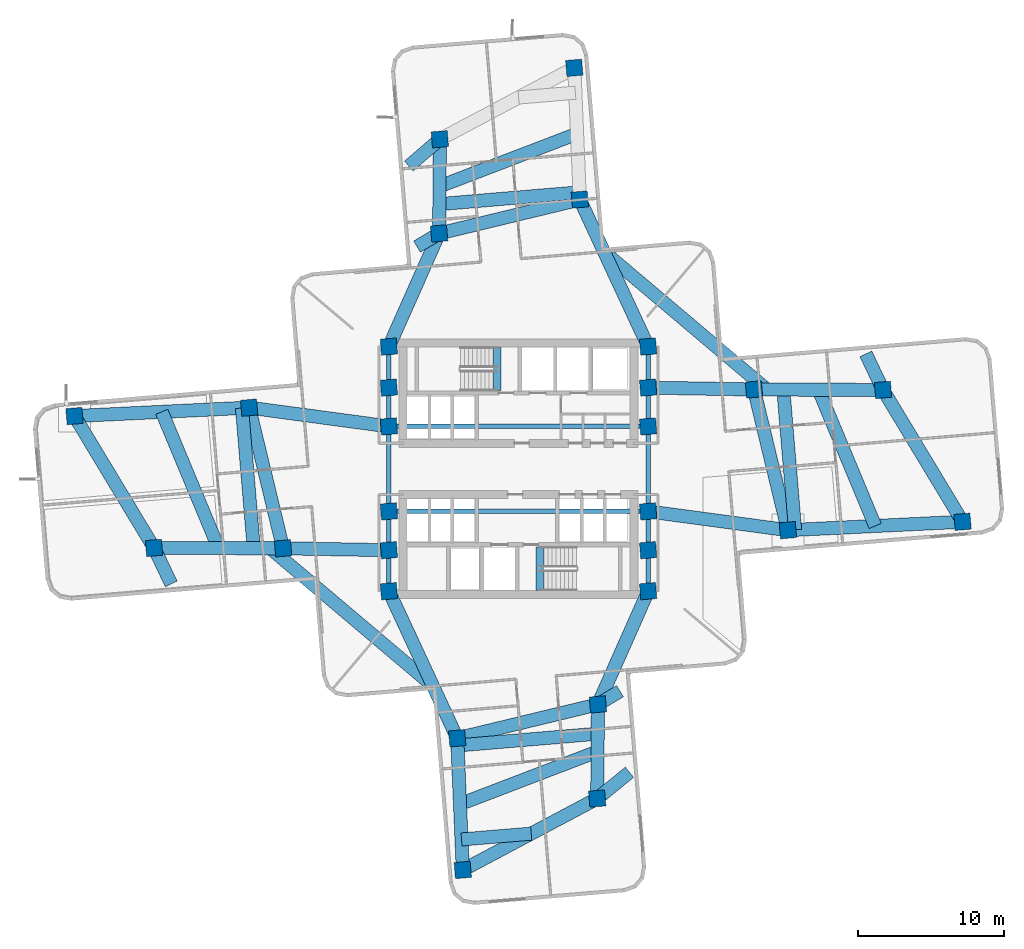
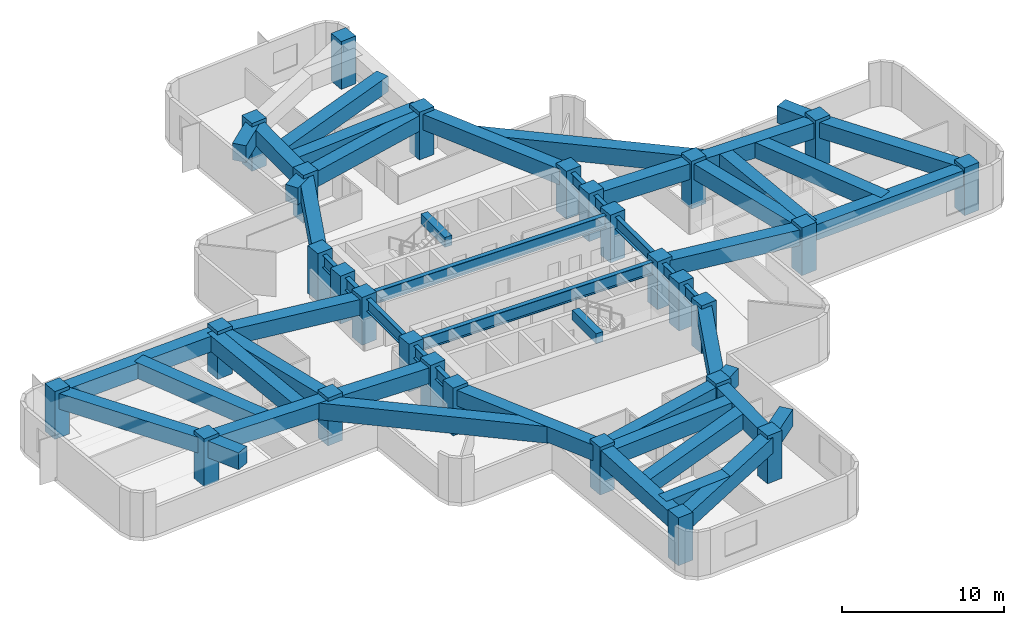
# One storey, part 1 of 11: 53 beams, 28 columns.
"""IFC4 building model written with IfcOpenShell, lengths in metres."""

from ifc_helpers import new_model, si_unit, direction, frame, origin, origin_2d, place, context, subcontext, project, spatial, rectangle, i_section, extrude, material, material_profile, profile_set, type_object, element, save


model = new_model("IFC4")

# Units and contexts
model_context = context("Model", 3, precision=1e-05, world=origin(), true_north=direction((0.0, 1.0)))
body_context = subcontext(model_context, "Body", "Model", "MODEL_VIEW")
ifc_project = project(units=[si_unit("LENGTHUNIT", "METRE"), si_unit("AREAUNIT", "SQUARE_METRE"), si_unit("VOLUMEUNIT", "CUBIC_METRE"), si_unit("PLANEANGLEUNIT", "RADIAN"), si_unit("MASSUNIT", "GRAM", prefix="KILO")], contexts=[model_context])

# Site, building, storey
site_placement = place(None, origin())
site = spatial("IfcSite", under=ifc_project, at=site_placement, CompositionType="ELEMENT")
building_placement = place(site_placement, origin())
building = spatial("IfcBuilding", under=site, at=building_placement, Name="Solmarez Civic Tower", CompositionType="ELEMENT")
storey_placement = place(building_placement, frame((0.0, 0.0, 64.080078125)))
storey = spatial("IfcBuildingStorey", under=building, at=storey_placement, Name="L16", CompositionType="ELEMENT", Elevation=64.080078125)

# Columns
ifc_material_1 = material(Name="Concrete C60/75", Category="concrete")
ifc_material_profile_1 = material_profile(ifc_material_1, rectangle(XDim=1.10009765625, YDim=1.10009765625, at=origin_2d()), Name="RC1100X1100")
ifc_profile_set_1 = profile_set([ifc_material_profile_1], Name="Concrete C60/75")
column_type = type_object("IfcColumnType", Name="COL-RC1100", PredefinedType="COLUMN", material=ifc_profile_set_1)
for number, where, z_axis, x_axis, name in (
    (1, (-8.85009765625, -5.550048828125, 0.0), (0.0, 0.0, 1.0), (0.99649285925, 0.083677843332, 0.0), "L16 Structural Column HC1"),
    (2, (-8.85009765625, -2.89990234375, 0.0), (0.0, 0.0, 1.0), (0.99649285925, 0.083677843332, 0.0), "L16 Structural Column HC2"),
    (3, (-8.85009765625, 2.89990234375, 0.0), (0.0, 0.0, 1.0), (0.99649285925, 0.083677843332, 0.0), "L16 Structural Column HC3"),
    (4, (-8.85009765625, 5.550048828125, 0.0), (0.0, 0.0, 1.0), (0.99649285925, 0.083677843332, 0.0), "L16 Structural Column HC4"),
    (5, (8.85009765625, -5.550048828125, 0.0), (0.0, 0.0, 1.0), (0.99649285925, 0.083677843332, 0.0), "L16 Structural Column HC5"),
    (6, (8.85009765625, -2.89990234375, 0.0), (0.0, 0.0, 1.0), (0.99649285925, 0.083677843332, 0.0), "L16 Structural Column HC6"),
    (7, (8.85009765625, 2.89990234375, 0.0), (0.0, 0.0, 1.0), (0.99649285925, 0.083677843332, 0.0), "L16 Structural Column HC7"),
    (8, (8.85009765625, 5.550048828125, 0.0), (0.0, 0.0, 1.0), (0.99649285925, 0.083677843332, 0.0), "L16 Structural Column HC8"),
    (9, (-8.85009765625, 8.35009765625, 0.0), (0.0, 0.0, 1.0), (0.99649285925, 0.083677843332, 0.0), "L16 Structural Column HC9"),
    (10, (8.85009765625, -8.35009765625, 0.0), (0.0, 0.0, 1.0), (0.99649285925, 0.083677843332, 0.0), "L16 Structural Column HC10"),
    (11, (8.85009765625, 8.35009765625, 0.0), (0.0, 0.0, 1.0), (0.99649285925, 0.083677843332, 0.0), "L16 Structural Column HC11"),
    (12, (-8.85009765625, -8.35009765625, 0.0), (0.0, 0.0, 1.0), (0.99649285925, 0.083677843332, 0.0), "L16 Structural Column HC12"),
    (13, (18.39111328125, -4.18408203125, 0.0), (0.0, 0.0, 1.0), (0.99649285925, 0.083677843332, 0.0), "L16 Structural Column EA11"),
    (14, (16.075927734375, 5.4208984375, 0.0), (0.0, 0.0, 1.0), (0.99649285925, 0.083677843332, 0.0), "L16 Structural Column EA12"),
    (15, (30.318115234375, -3.60888671875, 0.0), (0.0, 0.0, 1.0), (0.99649285925, 0.083677843332, 0.0), "L16 Structural Column EA21"),
    (16, (24.887939453125, 5.39306640625, 0.0), (0.0, 0.0, 1.0), (0.99649285925, 0.083677843332, 0.0), "L16 Structural Column EA22"),
    (17, (4.18408203125, 18.39111328125, 0.0), (0.0, 0.0, 1.0), (0.99649285925, 0.083677843332, 0.0), "L16 Structural Column NA11"),
    (18, (-5.4208984375, 16.075927734375, 0.0), (0.0, 0.0, 1.0), (0.99649285925, 0.083677843332, 0.0), "L16 Structural Column NA12"),
    (19, (3.806884765625, 27.383056640625, 0.0), (0.0, 0.0, 1.0), (0.99649285925, 0.083677843332, 0.0), "L16 Structural Column NA21"),
    (20, (-5.3720703125, 22.507080078125, 0.0), (0.0, 0.0, 1.0), (0.99649285925, 0.083677843332, 0.0), "L16 Structural Column NA22"),
    (21, (-18.39111328125, 4.18408203125, 0.0), (0.0, 0.0, 1.0), (0.99649285925, 0.083677843332, 0.0), "L16 Structural Column WA11"),
    (22, (-16.075927734375, -5.4208984375, 0.0), (0.0, 0.0, 1.0), (0.99649285925, 0.083677843332, 0.0), "L16 Structural Column WA12"),
    (23, (-30.318115234375, 3.60888671875, 0.0), (0.0, 0.0, 1.0), (0.99649285925, 0.083677843332, 0.0), "L16 Structural Column WA21"),
    (24, (-24.887939453125, -5.39306640625, 0.0), (0.0, 0.0, 1.0), (0.99649285925, 0.083677843332, 0.0), "L16 Structural Column WA22"),
    (25, (-4.18408203125, -18.39111328125, 0.0), (0.0, 0.0, 1.0), (0.99649285925, 0.083677843332, 0.0), "L16 Structural Column SA11"),
    (26, (5.4208984375, -16.075927734375, 0.0), (0.0, 0.0, 1.0), (0.99649285925, 0.083677843332, 0.0), "L16 Structural Column SA12"),
    (27, (-3.806884765625, -27.383056640625, 0.0), (0.0, 0.0, 1.0), (0.99649285925, 0.083677843332, 0.0), "L16 Structural Column SA21"),
    (28, (5.3720703125, -22.507080078125, 0.0), (0.0, 0.0, 1.0), (0.99649285925, 0.083677843332, 0.0), "L16 Structural Column SA22"),
):
    element("IfcColumn", number, at=place(storey_placement, frame(where, z_axis=z_axis, x_axis=x_axis)), inside=storey, type_object=column_type, Name=name, PredefinedType="COLUMN", context=body_context, shape_type="SweptSolid", body=[
        extrude(rectangle(XDim=1.10009765625, YDim=1.10009765625, at=origin_2d()), origin(), (0.0, 0.0, 1.0), 3.599853515625),
    ])

# Beams
ifc_material_2 = material(Name="Concrete C50/60", Category="concrete")
ifc_material_profile_2 = material_profile(ifc_material_2, rectangle(XDim=0.5, YDim=0.75, at=origin_2d()), Name="RC500X750")
ifc_profile_set_2 = profile_set([ifc_material_profile_2], Name="Concrete C50/60")
beam_type_1 = type_object("IfcBeamType", Name="BM-PR-RC500X750", PredefinedType="BEAM", material=ifc_profile_set_2)
for number, where, z_axis, x_axis, name in (
    (29, (-1.449951171875, 5.340087890625, 3.23291015625), (0.0, 1.0, 0.0), (-1.0, 0.0, 0.0), "L16 North Stair Threshold Beam"),
    (30, (1.449951171875, -8.300048828125, 3.23291015625), (0.0, 1.0, 0.0), (-1.0, 0.0, 0.0), "L16 South Stair Threshold Beam"),
):
    element("IfcBeam", number, at=place(storey_placement, frame(where, z_axis=z_axis, x_axis=x_axis)), inside=storey, type_object=beam_type_1, Name=name, PredefinedType="BEAM", context=body_context, shape_type="SweptSolid", body=[
        extrude(rectangle(XDim=0.5, YDim=0.75, at=origin_2d()), origin(), (0.0, 0.0, 1.0), 2.9599609375),
    ])
ifc_material_3 = material(Name="Steel S355", Category="steel")
ifc_material_profile_3 = material_profile(ifc_material_3, i_section(OverallWidth=0.306884765625, OverallDepth=0.927001953125, WebThickness=0.019287109375, FlangeThickness=0.031982421875, at=origin_2d()), Name="W36X194")
ifc_profile_set_3 = profile_set([ifc_material_profile_3], Name="Steel S355")
beam_type_2 = type_object("IfcBeamType", Name="BM-PR-W36X194", PredefinedType="BEAM", material=ifc_profile_set_3)
beam_1_placement = place(storey_placement, frame((-8.85009765625, -8.35009765625, 2.876953125), z_axis=(0.0, 1.0, 0.0), x_axis=(-1.0, 0.0, 0.0)))
element("IfcBeam", 31, at=beam_1_placement, inside=storey, type_object=beam_type_2, Name="L16 Primary Floor Beam BM-L16-HC12-HC1", PredefinedType="BEAM", context=body_context, shape_type="SweptSolid", body=[
    extrude(i_section(OverallWidth=0.306884765625, OverallDepth=0.927001953125, WebThickness=0.019287109375, FlangeThickness=0.031982421875, at=origin_2d()), origin(), (0.0, 0.0, 1.0), 2.800048828125),
])
beam_2_placement = place(storey_placement, frame((-8.85009765625, -5.550048828125, 2.876953125), z_axis=(0.0, 1.0, 0.0), x_axis=(-1.0, 0.0, 0.0)))
element("IfcBeam", 32, at=beam_2_placement, inside=storey, type_object=beam_type_2, Name="L16 Primary Floor Beam BM-L16-HC1-HC2", PredefinedType="BEAM", context=body_context, shape_type="SweptSolid", body=[
    extrude(i_section(OverallWidth=0.306884765625, OverallDepth=0.927001953125, WebThickness=0.019287109375, FlangeThickness=0.031982421875, at=origin_2d()), origin(), (0.0, 0.0, 1.0), 2.650146484375),
])
beam_3_placement = place(storey_placement, frame((-8.85009765625, -2.89990234375, 2.876953125), z_axis=(0.0, 1.0, 0.0), x_axis=(-1.0, 0.0, 0.0)))
element("IfcBeam", 33, at=beam_3_placement, inside=storey, type_object=beam_type_2, Name="L16 Primary Floor Beam BM-L16-HC2-HC3", PredefinedType="BEAM", context=body_context, shape_type="SweptSolid", body=[
    extrude(i_section(OverallWidth=0.306884765625, OverallDepth=0.927001953125, WebThickness=0.019287109375, FlangeThickness=0.031982421875, at=origin_2d()), origin(), (0.0, 0.0, 1.0), 5.7998046875),
])
beam_4_placement = place(storey_placement, frame((-8.85009765625, 2.89990234375, 2.876953125), z_axis=(0.0, 1.0, 0.0), x_axis=(-1.0, 0.0, 0.0)))
element("IfcBeam", 34, at=beam_4_placement, inside=storey, type_object=beam_type_2, Name="L16 Primary Floor Beam BM-L16-HC3-HC4", PredefinedType="BEAM", context=body_context, shape_type="SweptSolid", body=[
    extrude(i_section(OverallWidth=0.306884765625, OverallDepth=0.927001953125, WebThickness=0.019287109375, FlangeThickness=0.031982421875, at=origin_2d()), origin(), (0.0, 0.0, 1.0), 2.650146484375),
])
for number, where, z_axis, x_axis, name in (
    (35, (-8.85009765625, 5.550048828125, 2.876953125), (0.0, 1.0, 0.0), (-1.0, 0.0, 0.0), "L16 Primary Floor Beam BM-L16-HC4-HC9"),
    (36, (8.85009765625, -8.35009765625, 2.876953125), (0.0, 1.0, 0.0), (-1.0, 0.0, 0.0), "L16 Primary Floor Beam BM-L16-HC10-HC5"),
):
    element("IfcBeam", number, at=place(storey_placement, frame(where, z_axis=z_axis, x_axis=x_axis)), inside=storey, type_object=beam_type_2, Name=name, PredefinedType="BEAM", context=body_context, shape_type="SweptSolid", body=[
        extrude(i_section(OverallWidth=0.306884765625, OverallDepth=0.927001953125, WebThickness=0.019287109375, FlangeThickness=0.031982421875, at=origin_2d()), origin(), (0.0, 0.0, 1.0), 2.800048828125),
    ])
beam_5_placement = place(storey_placement, frame((8.85009765625, -5.550048828125, 2.876953125), z_axis=(0.0, 1.0, 0.0), x_axis=(-1.0, 0.0, 0.0)))
element("IfcBeam", 37, at=beam_5_placement, inside=storey, type_object=beam_type_2, Name="L16 Primary Floor Beam BM-L16-HC5-HC6", PredefinedType="BEAM", context=body_context, shape_type="SweptSolid", body=[
    extrude(i_section(OverallWidth=0.306884765625, OverallDepth=0.927001953125, WebThickness=0.019287109375, FlangeThickness=0.031982421875, at=origin_2d()), origin(), (0.0, 0.0, 1.0), 2.650146484375),
])
beam_6_placement = place(storey_placement, frame((8.85009765625, -2.89990234375, 2.876953125), z_axis=(0.0, 1.0, 0.0), x_axis=(-1.0, 0.0, 0.0)))
element("IfcBeam", 38, at=beam_6_placement, inside=storey, type_object=beam_type_2, Name="L16 Primary Floor Beam BM-L16-HC6-HC7", PredefinedType="BEAM", context=body_context, shape_type="SweptSolid", body=[
    extrude(i_section(OverallWidth=0.306884765625, OverallDepth=0.927001953125, WebThickness=0.019287109375, FlangeThickness=0.031982421875, at=origin_2d()), origin(), (0.0, 0.0, 1.0), 5.7998046875),
])
beam_7_placement = place(storey_placement, frame((8.85009765625, 2.89990234375, 2.876953125), z_axis=(0.0, 1.0, 0.0), x_axis=(-1.0, 0.0, 0.0)))
element("IfcBeam", 39, at=beam_7_placement, inside=storey, type_object=beam_type_2, Name="L16 Primary Floor Beam BM-L16-HC7-HC8", PredefinedType="BEAM", context=body_context, shape_type="SweptSolid", body=[
    extrude(i_section(OverallWidth=0.306884765625, OverallDepth=0.927001953125, WebThickness=0.019287109375, FlangeThickness=0.031982421875, at=origin_2d()), origin(), (0.0, 0.0, 1.0), 2.650146484375),
])
beam_8_placement = place(storey_placement, frame((8.85009765625, 5.550048828125, 2.876953125), z_axis=(0.0, 1.0, 0.0), x_axis=(-1.0, 0.0, 0.0)))
element("IfcBeam", 40, at=beam_8_placement, inside=storey, type_object=beam_type_2, Name="L16 Primary Floor Beam BM-L16-HC8-HC11", PredefinedType="BEAM", context=body_context, shape_type="SweptSolid", body=[
    extrude(i_section(OverallWidth=0.306884765625, OverallDepth=0.927001953125, WebThickness=0.019287109375, FlangeThickness=0.031982421875, at=origin_2d()), origin(), (0.0, 0.0, 1.0), 2.800048828125),
])
for number, where, z_axis, x_axis, name in (
    (41, (-8.85009765625, -2.89990234375, 2.876953125), (1.0, 0.0, 0.0), (0.0, 1.0, 0.0), "L16 Primary Floor Beam BM-L16-HC2-HC6"),
    (42, (-8.85009765625, 2.89990234375, 2.876953125), (1.0, 0.0, 0.0), (0.0, 1.0, 0.0), "L16 Primary Floor Beam BM-L16-HC3-HC7"),
):
    element("IfcBeam", number, at=place(storey_placement, frame(where, z_axis=z_axis, x_axis=x_axis)), inside=storey, type_object=beam_type_2, Name=name, PredefinedType="BEAM", context=body_context, shape_type="SweptSolid", body=[
        extrude(i_section(OverallWidth=0.306884765625, OverallDepth=0.927001953125, WebThickness=0.019287109375, FlangeThickness=0.031982421875, at=origin_2d()), origin(), (0.0, 0.0, 1.0), 17.7001953125),
    ])
ifc_material_profile_4 = material_profile(ifc_material_1, rectangle(XDim=0.89990234375, YDim=1.179931640625, at=origin_2d()), Name="RC900X1180")
ifc_profile_set_4 = profile_set([ifc_material_profile_4], Name="Concrete C60/75")
beam_type_3 = type_object("IfcBeamType", Name="BM-TG-RC900X1180", PredefinedType="USERDEFINED", material=ifc_profile_set_4)
beam_9_placement = place(storey_placement, frame((8.85009765625, -2.89990234375, 2.75), z_axis=(0.991063240718, -0.133392851745, 0.0), x_axis=(0.133392851745, 0.991063240718, 0.0)))
element("IfcBeam", 43, at=beam_9_placement, inside=storey, type_object=beam_type_3, Name="L16 Transfer Girder BM-L16-EA-R1A", ObjectType="TRANSFER_GIRDER", PredefinedType="USERDEFINED", context=body_context, shape_type="SweptSolid", body=[
    extrude(rectangle(XDim=0.89990234375, YDim=1.179931640625, at=origin_2d()), origin(), (0.0, 0.0, 1.0), 9.626953125),
])
beam_10_placement = place(storey_placement, frame((8.85009765625, 5.550048828125, 2.75), z_axis=(0.999840308455, -0.017870578882, 0.0), x_axis=(0.017870578882, 0.999840308455, 0.0)))
element("IfcBeam", 44, at=beam_10_placement, inside=storey, type_object=beam_type_3, Name="L16 Transfer Girder BM-L16-EA-R1B", ObjectType="TRANSFER_GIRDER", PredefinedType="USERDEFINED", context=body_context, shape_type="SweptSolid", body=[
    extrude(rectangle(XDim=0.89990234375, YDim=1.179931640625, at=origin_2d()), origin(), (0.0, 0.0, 1.0), 7.22705078125),
])
beam_11_placement = place(storey_placement, frame((18.39111328125, -4.18408203125, 2.75), z_axis=(-0.234328919867, 0.97215737271, 0.0), x_axis=(-0.97215737271, -0.234328919867, 0.0)))
element("IfcBeam", 45, at=beam_11_placement, inside=storey, type_object=beam_type_3, Name="L16 Transfer Girder BM-L16-EA-T1", ObjectType="TRANSFER_GIRDER", PredefinedType="USERDEFINED", context=body_context, shape_type="SweptSolid", body=[
    extrude(rectangle(XDim=0.89990234375, YDim=1.179931640625, at=origin_2d()), origin(), (0.0, 0.0, 1.0), 9.880126953125),
])
beam_12_placement = place(storey_placement, frame((18.39111328125, -4.18408203125, 2.75), z_axis=(0.998839135977, 0.048170327398, 0.0), x_axis=(-0.048170327398, 0.998839135977, 0.0)))
element("IfcBeam", 46, at=beam_12_placement, inside=storey, type_object=beam_type_3, Name="L16 Transfer Girder BM-L16-EA-R2A", ObjectType="TRANSFER_GIRDER", PredefinedType="USERDEFINED", context=body_context, shape_type="SweptSolid", body=[
    extrude(rectangle(XDim=0.89990234375, YDim=1.179931640625, at=origin_2d()), origin(), (0.0, 0.0, 1.0), 11.94091796875),
])
beam_13_placement = place(storey_placement, frame((16.075927734375, 5.4208984375, 2.75), z_axis=(0.99999501223, -0.003158403928, 0.0), x_axis=(0.003158403928, 0.99999501223, 0.0)))
element("IfcBeam", 47, at=beam_13_placement, inside=storey, type_object=beam_type_3, Name="L16 Transfer Girder BM-L16-EA-R2B", ObjectType="TRANSFER_GIRDER", PredefinedType="USERDEFINED", context=body_context, shape_type="SweptSolid", body=[
    extrude(rectangle(XDim=0.89990234375, YDim=1.179931640625, at=origin_2d()), origin(), (0.0, 0.0, 1.0), 8.81201171875),
])
beam_14_placement = place(storey_placement, frame((30.318115234375, -3.60888671875, 2.75), z_axis=(-0.516522901024, 0.856273374991, 0.0), x_axis=(-0.856273374991, -0.516522901024, 0.0)))
element("IfcBeam", 48, at=beam_14_placement, inside=storey, type_object=beam_type_3, Name="L16 Transfer Girder BM-L16-EA-T2", ObjectType="TRANSFER_GIRDER", PredefinedType="USERDEFINED", context=body_context, shape_type="SweptSolid", body=[
    extrude(rectangle(XDim=0.89990234375, YDim=1.179931640625, at=origin_2d()), origin(), (0.0, 0.0, 1.0), 10.512939453125),
])
beam_15_placement = place(storey_placement, frame((24.35498046875, -3.89697265625, 2.75), z_axis=(-0.384310898391, 0.923203733408, 0.0), x_axis=(-0.923203733408, -0.384310898391, 0.0)))
element("IfcBeam", 49, at=beam_15_placement, inside=storey, type_object=beam_type_3, Name="L16 Transfer Girder JS-L16-EA-M2", ObjectType="TRANSFER_GIRDER", PredefinedType="USERDEFINED", context=body_context, shape_type="SweptSolid", body=[
    extrude(rectangle(XDim=0.89990234375, YDim=1.179931640625, at=origin_2d()), origin(), (0.0, 0.0, 1.0), 10.077880859375),
])
beam_16_placement = place(storey_placement, frame((8.85009765625, 8.35009765625, 2.75), z_axis=(-0.421417065364, 0.906866945599, 0.0), x_axis=(-0.906866945599, -0.421417065364, 0.0)))
element("IfcBeam", 50, at=beam_16_placement, inside=storey, type_object=beam_type_3, Name="L16 Transfer Girder BM-L16-NA-R1A", ObjectType="TRANSFER_GIRDER", PredefinedType="USERDEFINED", context=body_context, shape_type="SweptSolid", body=[
    extrude(rectangle(XDim=0.89990234375, YDim=1.179931640625, at=origin_2d()), origin(), (0.0, 0.0, 1.0), 11.072265625),
])
beam_17_placement = place(storey_placement, frame((-8.85009765625, 8.35009765625, 2.75), z_axis=(0.405693556952, 0.914009156326, 0.0), x_axis=(-0.914009156326, 0.405693556952, 0.0)))
element("IfcBeam", 51, at=beam_17_placement, inside=storey, type_object=beam_type_3, Name="L16 Transfer Girder BM-L16-NA-R1B", ObjectType="TRANSFER_GIRDER", PredefinedType="USERDEFINED", context=body_context, shape_type="SweptSolid", body=[
    extrude(rectangle(XDim=0.89990234375, YDim=1.179931640625, at=origin_2d()), origin(), (0.0, 0.0, 1.0), 8.45263671875),
])
beam_18_placement = place(storey_placement, frame((4.18408203125, 18.39111328125, 2.75), z_axis=(-0.97215737271, -0.234328919867, 0.0), x_axis=(0.234328919867, -0.97215737271, 0.0)))
element("IfcBeam", 52, at=beam_18_placement, inside=storey, type_object=beam_type_3, Name="L16 Transfer Girder BM-L16-NA-T1", ObjectType="TRANSFER_GIRDER", PredefinedType="USERDEFINED", context=body_context, shape_type="SweptSolid", body=[
    extrude(rectangle(XDim=0.89990234375, YDim=1.179931640625, at=origin_2d()), origin(), (0.0, 0.0, 1.0), 9.880126953125),
])
beam_19_placement = place(storey_placement, frame((-5.4208984375, 16.075927734375, 2.75), z_axis=(0.007592219108, 0.999971178689, 0.0), x_axis=(-0.999971178689, 0.007592219108, 0.0)))
element("IfcBeam", 53, at=beam_19_placement, inside=storey, type_object=beam_type_3, Name="L16 Transfer Girder BM-L16-NA-R2B", ObjectType="TRANSFER_GIRDER", PredefinedType="USERDEFINED", context=body_context, shape_type="SweptSolid", body=[
    extrude(rectangle(XDim=0.89990234375, YDim=1.179931640625, at=origin_2d()), origin(), (0.0, 0.0, 1.0), 6.431396484375),
])
beam_20_placement = place(storey_placement, frame((3.9951171875, 22.886962890625, 2.75), z_axis=(-0.933878315551, -0.357590955903, 0.0), x_axis=(0.357590955903, -0.933878315551, 0.0)))
element("IfcBeam", 54, at=beam_20_placement, inside=storey, type_object=beam_type_3, Name="L16 Transfer Girder JS-L16-NA-M2", ObjectType="TRANSFER_GIRDER", PredefinedType="USERDEFINED", context=body_context, shape_type="SweptSolid", body=[
    extrude(rectangle(XDim=0.89990234375, YDim=1.179931640625, at=origin_2d()), origin(), (0.0, 0.0, 1.0), 10.05615234375),
])
beam_21_placement = place(storey_placement, frame((-8.85009765625, 2.89990234375, 2.75), z_axis=(-0.991063240718, 0.133392851745, 0.0), x_axis=(-0.133392851745, -0.991063240718, 0.0)))
element("IfcBeam", 55, at=beam_21_placement, inside=storey, type_object=beam_type_3, Name="L16 Transfer Girder BM-L16-WA-R1A", ObjectType="TRANSFER_GIRDER", PredefinedType="USERDEFINED", context=body_context, shape_type="SweptSolid", body=[
    extrude(rectangle(XDim=0.89990234375, YDim=1.179931640625, at=origin_2d()), origin(), (0.0, 0.0, 1.0), 9.626953125),
])
beam_22_placement = place(storey_placement, frame((-8.85009765625, -5.550048828125, 2.75), z_axis=(-0.999840308455, 0.017870578882, 0.0), x_axis=(-0.017870578882, -0.999840308455, 0.0)))
element("IfcBeam", 56, at=beam_22_placement, inside=storey, type_object=beam_type_3, Name="L16 Transfer Girder BM-L16-WA-R1B", ObjectType="TRANSFER_GIRDER", PredefinedType="USERDEFINED", context=body_context, shape_type="SweptSolid", body=[
    extrude(rectangle(XDim=0.89990234375, YDim=1.179931640625, at=origin_2d()), origin(), (0.0, 0.0, 1.0), 7.22705078125),
])
beam_23_placement = place(storey_placement, frame((-18.39111328125, 4.18408203125, 2.75), z_axis=(0.234328919867, -0.97215737271, 0.0), x_axis=(0.97215737271, 0.234328919867, 0.0)))
element("IfcBeam", 57, at=beam_23_placement, inside=storey, type_object=beam_type_3, Name="L16 Transfer Girder BM-L16-WA-T1", ObjectType="TRANSFER_GIRDER", PredefinedType="USERDEFINED", context=body_context, shape_type="SweptSolid", body=[
    extrude(rectangle(XDim=0.89990234375, YDim=1.179931640625, at=origin_2d()), origin(), (0.0, 0.0, 1.0), 9.880126953125),
])
beam_24_placement = place(storey_placement, frame((-18.39111328125, 4.18408203125, 2.75), z_axis=(-0.998839135977, -0.048170327398, 0.0), x_axis=(0.048170327398, -0.998839135977, 0.0)))
element("IfcBeam", 58, at=beam_24_placement, inside=storey, type_object=beam_type_3, Name="L16 Transfer Girder BM-L16-WA-R2A", ObjectType="TRANSFER_GIRDER", PredefinedType="USERDEFINED", context=body_context, shape_type="SweptSolid", body=[
    extrude(rectangle(XDim=0.89990234375, YDim=1.179931640625, at=origin_2d()), origin(), (0.0, 0.0, 1.0), 11.94091796875),
])
beam_25_placement = place(storey_placement, frame((-16.075927734375, -5.4208984375, 2.75), z_axis=(-0.99999501223, 0.003158403928, 0.0), x_axis=(-0.003158403928, -0.99999501223, 0.0)))
element("IfcBeam", 59, at=beam_25_placement, inside=storey, type_object=beam_type_3, Name="L16 Transfer Girder BM-L16-WA-R2B", ObjectType="TRANSFER_GIRDER", PredefinedType="USERDEFINED", context=body_context, shape_type="SweptSolid", body=[
    extrude(rectangle(XDim=0.89990234375, YDim=1.179931640625, at=origin_2d()), origin(), (0.0, 0.0, 1.0), 8.81201171875),
])
beam_26_placement = place(storey_placement, frame((-30.318115234375, 3.60888671875, 2.75), z_axis=(0.516522901024, -0.856273374991, 0.0), x_axis=(0.856273374991, 0.516522901024, 0.0)))
element("IfcBeam", 60, at=beam_26_placement, inside=storey, type_object=beam_type_3, Name="L16 Transfer Girder BM-L16-WA-T2", ObjectType="TRANSFER_GIRDER", PredefinedType="USERDEFINED", context=body_context, shape_type="SweptSolid", body=[
    extrude(rectangle(XDim=0.89990234375, YDim=1.179931640625, at=origin_2d()), origin(), (0.0, 0.0, 1.0), 10.512939453125),
])
beam_27_placement = place(storey_placement, frame((-24.35498046875, 3.89697265625, 2.75), z_axis=(0.384310898391, -0.923203733408, 0.0), x_axis=(0.923203733408, 0.384310898391, 0.0)))
element("IfcBeam", 61, at=beam_27_placement, inside=storey, type_object=beam_type_3, Name="L16 Transfer Girder JS-L16-WA-M2", ObjectType="TRANSFER_GIRDER", PredefinedType="USERDEFINED", context=body_context, shape_type="SweptSolid", body=[
    extrude(rectangle(XDim=0.89990234375, YDim=1.179931640625, at=origin_2d()), origin(), (0.0, 0.0, 1.0), 10.077880859375),
])
beam_28_placement = place(storey_placement, frame((-8.85009765625, -8.35009765625, 2.75), z_axis=(0.421417065364, -0.906866945599, 0.0), x_axis=(0.906866945599, 0.421417065364, 0.0)))
element("IfcBeam", 62, at=beam_28_placement, inside=storey, type_object=beam_type_3, Name="L16 Transfer Girder BM-L16-SA-R1A", ObjectType="TRANSFER_GIRDER", PredefinedType="USERDEFINED", context=body_context, shape_type="SweptSolid", body=[
    extrude(rectangle(XDim=0.89990234375, YDim=1.179931640625, at=origin_2d()), origin(), (0.0, 0.0, 1.0), 11.072265625),
])
beam_29_placement = place(storey_placement, frame((8.85009765625, -8.35009765625, 2.75), z_axis=(-0.405693556952, -0.914009156326, 0.0), x_axis=(0.914009156326, -0.405693556952, 0.0)))
element("IfcBeam", 63, at=beam_29_placement, inside=storey, type_object=beam_type_3, Name="L16 Transfer Girder BM-L16-SA-R1B", ObjectType="TRANSFER_GIRDER", PredefinedType="USERDEFINED", context=body_context, shape_type="SweptSolid", body=[
    extrude(rectangle(XDim=0.89990234375, YDim=1.179931640625, at=origin_2d()), origin(), (0.0, 0.0, 1.0), 8.45263671875),
])
beam_30_placement = place(storey_placement, frame((-4.18408203125, -18.39111328125, 2.75), z_axis=(0.97215737271, 0.234328919867, 0.0), x_axis=(-0.234328919867, 0.97215737271, 0.0)))
element("IfcBeam", 64, at=beam_30_placement, inside=storey, type_object=beam_type_3, Name="L16 Transfer Girder BM-L16-SA-T1", ObjectType="TRANSFER_GIRDER", PredefinedType="USERDEFINED", context=body_context, shape_type="SweptSolid", body=[
    extrude(rectangle(XDim=0.89990234375, YDim=1.179931640625, at=origin_2d()), origin(), (0.0, 0.0, 1.0), 9.880126953125),
])
beam_31_placement = place(storey_placement, frame((-4.18408203125, -18.39111328125, 2.75), z_axis=(0.041911499832, -0.999121327058, 0.0), x_axis=(0.999121327058, 0.041911499832, 0.0)))
element("IfcBeam", 65, at=beam_31_placement, inside=storey, type_object=beam_type_3, Name="L16 Transfer Girder BM-L16-SA-R2A", ObjectType="TRANSFER_GIRDER", PredefinedType="USERDEFINED", context=body_context, shape_type="SweptSolid", body=[
    extrude(rectangle(XDim=0.89990234375, YDim=1.179931640625, at=origin_2d()), origin(), (0.0, 0.0, 1.0), 8.999755859375),
])
beam_32_placement = place(storey_placement, frame((5.4208984375, -16.075927734375, 2.75), z_axis=(-0.007592219108, -0.999971178689, 0.0), x_axis=(0.999971178689, -0.007592219108, 0.0)))
element("IfcBeam", 66, at=beam_32_placement, inside=storey, type_object=beam_type_3, Name="L16 Transfer Girder BM-L16-SA-R2B", ObjectType="TRANSFER_GIRDER", PredefinedType="USERDEFINED", context=body_context, shape_type="SweptSolid", body=[
    extrude(rectangle(XDim=0.89990234375, YDim=1.179931640625, at=origin_2d()), origin(), (0.0, 0.0, 1.0), 6.431396484375),
])
beam_33_placement = place(storey_placement, frame((-3.806884765625, -27.383056640625, 2.75), z_axis=(0.883129404808, 0.469129464394, 0.0), x_axis=(-0.469129464394, 0.883129404808, 0.0)))
element("IfcBeam", 67, at=beam_33_placement, inside=storey, type_object=beam_type_3, Name="L16 Transfer Girder BM-L16-SA-T2", ObjectType="TRANSFER_GIRDER", PredefinedType="USERDEFINED", context=body_context, shape_type="SweptSolid", body=[
    extrude(rectangle(XDim=0.89990234375, YDim=1.179931640625, at=origin_2d()), origin(), (0.0, 0.0, 1.0), 10.3935546875),
])
beam_34_placement = place(storey_placement, frame((-3.9951171875, -22.886962890625, 2.75), z_axis=(0.933878315551, 0.357590955903, 0.0), x_axis=(-0.357590955903, 0.933878315551, 0.0)))
element("IfcBeam", 68, at=beam_34_placement, inside=storey, type_object=beam_type_3, Name="L16 Transfer Girder JS-L16-SA-M2", ObjectType="TRANSFER_GIRDER", PredefinedType="USERDEFINED", context=body_context, shape_type="SweptSolid", body=[
    extrude(rectangle(XDim=0.89990234375, YDim=1.179931640625, at=origin_2d()), origin(), (0.0, 0.0, 1.0), 10.05615234375),
])
beam_35_placement = place(storey_placement, frame((18.883056640625, -4.159912109375, 2.75), z_axis=(-0.083669985422, 0.996493519065, 0.0), x_axis=(-0.996493519065, -0.083669985422, 0.0)))
element("IfcBeam", 69, at=beam_35_placement, inside=storey, type_object=beam_type_3, Name="L16 Transfer Girder TG-L16-EA11", ObjectType="TRANSFER_GIRDER", PredefinedType="USERDEFINED", context=body_context, shape_type="SweptSolid", body=[
    extrude(rectangle(XDim=0.89990234375, YDim=1.179931640625, at=origin_2d()), origin(), (0.0, 0.0, 1.0), 9.608642578125),
])
beam_36_placement = place(storey_placement, frame((4.1630859375, 18.883056640625, 2.75), z_axis=(-0.996489246147, -0.083720859486, 0.0), x_axis=(0.083720859486, -0.996489246147, 0.0)))
element("IfcBeam", 70, at=beam_36_placement, inside=storey, type_object=beam_type_3, Name="L16 Transfer Girder TG-L16-NA11", ObjectType="TRANSFER_GIRDER", PredefinedType="USERDEFINED", context=body_context, shape_type="SweptSolid", body=[
    extrude(rectangle(XDim=0.89990234375, YDim=1.179931640625, at=origin_2d()), origin(), (0.0, 0.0, 1.0), 9.602783203125),
])
beam_37_placement = place(storey_placement, frame((-18.883056640625, 4.159912109375, 2.75), z_axis=(0.083669985422, -0.996493519065, 0.0), x_axis=(0.996493519065, 0.083669985422, 0.0)))
element("IfcBeam", 71, at=beam_37_placement, inside=storey, type_object=beam_type_3, Name="L16 Transfer Girder TG-L16-WA11", ObjectType="TRANSFER_GIRDER", PredefinedType="USERDEFINED", context=body_context, shape_type="SweptSolid", body=[
    extrude(rectangle(XDim=0.89990234375, YDim=1.179931640625, at=origin_2d()), origin(), (0.0, 0.0, 1.0), 9.608642578125),
])
beam_38_placement = place(storey_placement, frame((-4.1630859375, -18.883056640625, 2.75), z_axis=(0.996489246147, 0.083720859486, 0.0), x_axis=(-0.083720859486, 0.996489246147, 0.0)))
element("IfcBeam", 72, at=beam_38_placement, inside=storey, type_object=beam_type_3, Name="L16 Transfer Girder TG-L16-SA11", ObjectType="TRANSFER_GIRDER", PredefinedType="USERDEFINED", context=body_context, shape_type="SweptSolid", body=[
    extrude(rectangle(XDim=0.89990234375, YDim=1.179931640625, at=origin_2d()), origin(), (0.0, 0.0, 1.0), 9.602783203125),
])
beam_39_placement = place(storey_placement, frame((-3.89404296875, -25.301025390625, 2.75), z_axis=(0.996483786576, 0.083785816765, 0.0), x_axis=(-0.083785816765, 0.996483786576, 0.0)))
element("IfcBeam", 73, at=beam_39_placement, inside=storey, type_object=beam_type_3, Name="L16 Transfer Girder TG-L16-SA21", ObjectType="TRANSFER_GIRDER", PredefinedType="USERDEFINED", context=body_context, shape_type="SweptSolid", body=[
    extrude(rectangle(XDim=0.89990234375, YDim=1.179931640625, at=origin_2d()), origin(), (0.0, 0.0, 1.0), 4.77587890625),
])
ifc_material_profile_5 = material_profile(ifc_material_1, rectangle(XDim=0.89990234375, YDim=1.260009765625, at=origin_2d()), Name="RC900X1280")
ifc_profile_set_5 = profile_set([ifc_material_profile_5], Name="Concrete C60/75")
beam_type_4 = type_object("IfcBeamType", Name="BM-TG-RC900X1280", PredefinedType="USERDEFINED", material=ifc_profile_set_5)
beam_40_placement = place(storey_placement, frame((5.84912109375, 14.80810546875, 2.7099609375), z_axis=(0.763770642523, -0.645487726933, 0.0), x_axis=(0.645487726933, 0.763770642523, 0.0)))
element("IfcBeam", 74, at=beam_40_placement, inside=storey, type_object=beam_type_4, Name="L16 Transfer Girder TG-L16-EA12", ObjectType="TRANSFER_GIRDER", PredefinedType="USERDEFINED", context=body_context, shape_type="SweptSolid", body=[
    extrude(rectangle(XDim=0.89990234375, YDim=1.260009765625, at=origin_2d()), origin(), (0.0, 0.0, 1.0), 14.54736328125),
])
beam_41_placement = place(storey_placement, frame((24.887939453125, 5.39306640625, 2.7099609375), z_axis=(-0.430643298009, 0.902522215727, 0.0), x_axis=(-0.902522215727, -0.430643298009, 0.0)))
element("IfcBeam", 75, at=beam_41_placement, inside=storey, type_object=beam_type_4, Name="L16 Transfer Girder TG-L16-EA22", ObjectType="TRANSFER_GIRDER", PredefinedType="USERDEFINED", context=body_context, shape_type="SweptSolid", body=[
    extrude(rectangle(XDim=0.89990234375, YDim=1.260009765625, at=origin_2d()), origin(), (0.0, 0.0, 1.0), 2.723388671875),
])
beam_42_placement = place(storey_placement, frame((-5.4208984375, 16.075927734375, 2.7099609375), z_axis=(-0.858191792398, -0.51332918041, 0.0), x_axis=(0.51332918041, -0.858191792398, 0.0)))
element("IfcBeam", 76, at=beam_42_placement, inside=storey, type_object=beam_type_4, Name="L16 Transfer Girder TG-L16-NA12", ObjectType="TRANSFER_GIRDER", PredefinedType="USERDEFINED", context=body_context, shape_type="SweptSolid", body=[
    extrude(rectangle(XDim=0.89990234375, YDim=1.260009765625, at=origin_2d()), origin(), (0.0, 0.0, 1.0), 1.7548828125),
])
beam_43_placement = place(storey_placement, frame((-5.3720703125, 22.507080078125, 2.7099609375), z_axis=(-0.756848521279, -0.653590327222, 0.0), x_axis=(0.653590327222, -0.756848521279, 0.0)))
element("IfcBeam", 77, at=beam_43_placement, inside=storey, type_object=beam_type_4, Name="L16 Transfer Girder TG-L16-NA22", ObjectType="TRANSFER_GIRDER", PredefinedType="USERDEFINED", context=body_context, shape_type="SweptSolid", body=[
    extrude(rectangle(XDim=0.89990234375, YDim=1.260009765625, at=origin_2d()), origin(), (0.0, 0.0, 1.0), 2.797119140625),
])
beam_44_placement = place(storey_placement, frame((-5.84912109375, -14.80810546875, 2.7099609375), z_axis=(-0.763770642523, 0.645487726933, 0.0), x_axis=(-0.645487726933, -0.763770642523, 0.0)))
element("IfcBeam", 78, at=beam_44_placement, inside=storey, type_object=beam_type_4, Name="L16 Transfer Girder TG-L16-WA12", ObjectType="TRANSFER_GIRDER", PredefinedType="USERDEFINED", context=body_context, shape_type="SweptSolid", body=[
    extrude(rectangle(XDim=0.89990234375, YDim=1.260009765625, at=origin_2d()), origin(), (0.0, 0.0, 1.0), 14.54736328125),
])
beam_45_placement = place(storey_placement, frame((-24.887939453125, -5.39306640625, 2.7099609375), z_axis=(0.430643298009, -0.902522215727, 0.0), x_axis=(0.902522215727, 0.430643298009, 0.0)))
element("IfcBeam", 79, at=beam_45_placement, inside=storey, type_object=beam_type_4, Name="L16 Transfer Girder TG-L16-WA22", ObjectType="TRANSFER_GIRDER", PredefinedType="USERDEFINED", context=body_context, shape_type="SweptSolid", body=[
    extrude(rectangle(XDim=0.89990234375, YDim=1.260009765625, at=origin_2d()), origin(), (0.0, 0.0, 1.0), 2.723388671875),
])
beam_46_placement = place(storey_placement, frame((5.4208984375, -16.075927734375, 2.7099609375), z_axis=(0.858191792398, 0.51332918041, 0.0), x_axis=(-0.51332918041, 0.858191792398, 0.0)))
element("IfcBeam", 80, at=beam_46_placement, inside=storey, type_object=beam_type_4, Name="L16 Transfer Girder TG-L16-SA12", ObjectType="TRANSFER_GIRDER", PredefinedType="USERDEFINED", context=body_context, shape_type="SweptSolid", body=[
    extrude(rectangle(XDim=0.89990234375, YDim=1.260009765625, at=origin_2d()), origin(), (0.0, 0.0, 1.0), 1.7548828125),
])
beam_47_placement = place(storey_placement, frame((5.3720703125, -22.507080078125, 2.7099609375), z_axis=(0.775437664261, 0.631424127545, 0.0), x_axis=(-0.631424127545, 0.775437664261, 0.0)))
element("IfcBeam", 81, at=beam_47_placement, inside=storey, type_object=beam_type_4, Name="L16 Transfer Girder TG-L16-SA22", ObjectType="TRANSFER_GIRDER", PredefinedType="USERDEFINED", context=body_context, shape_type="SweptSolid", body=[
    extrude(rectangle(XDim=0.89990234375, YDim=1.260009765625, at=origin_2d()), origin(), (0.0, 0.0, 1.0), 2.839599609375),
])

save(model, "model.ifc")
